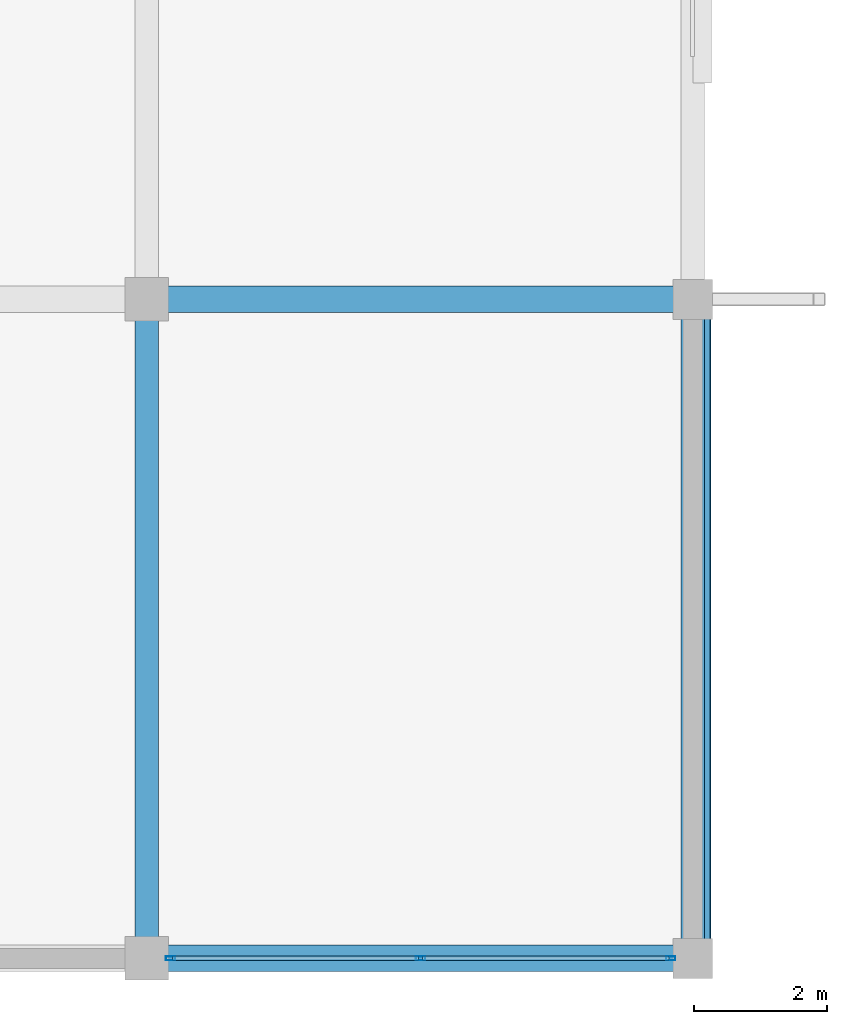
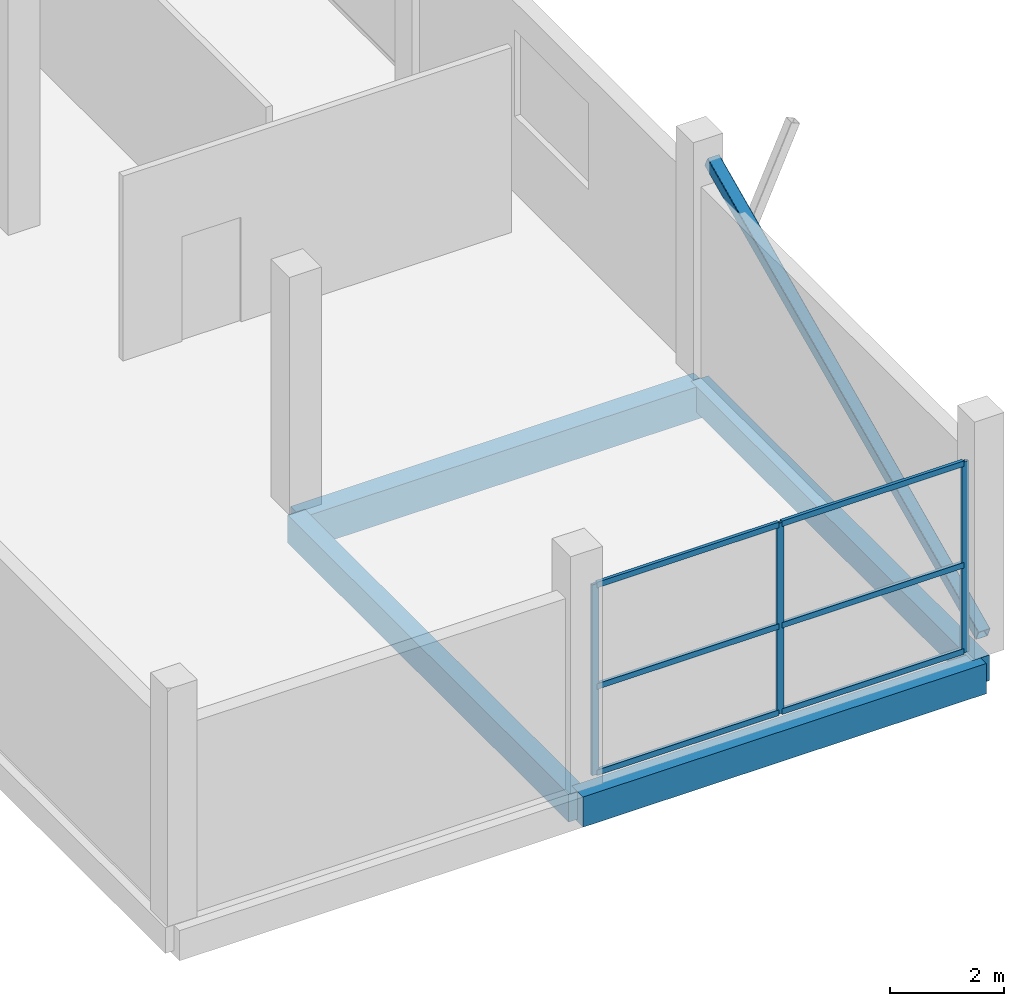
# One storey, part 10 of 58: 10 members, 4 beams, 1 element without a shape of its own.
"""IFC4 building model written with IfcOpenShell, lengths in metres."""

from ifc_helpers import new_model, si_unit, direction, frame, origin, origin_2d, place, context, subcontext, project, spatial, rectangle, hollow_rectangle, extrude, material, layer, layer_set, material_profile, profile_set, type_object, element, aggregate, save


model = new_model("IFC4")

# Units and contexts
model_context = context("Model", 3, precision=1e-05, world=origin(), true_north=direction((0.0, 1.0)))
body_context = subcontext(model_context, "Body", "Model", "MODEL_VIEW")
ifc_project = project(units=[si_unit("LENGTHUNIT", "METRE"), si_unit("AREAUNIT", "SQUARE_METRE"), si_unit("VOLUMEUNIT", "CUBIC_METRE"), si_unit("PLANEANGLEUNIT", "RADIAN"), si_unit("MASSUNIT", "GRAM", prefix="KILO")], contexts=[model_context])

# Site, building, storey
site_placement = place(None, origin())
site = spatial("IfcSite", under=ifc_project, at=site_placement, CompositionType="ELEMENT")
building_placement = place(site_placement, origin())
building = spatial("IfcBuilding", under=site, at=building_placement, Name="Sillaruma Civic Art Gallery", CompositionType="ELEMENT")
storey_placement = place(building_placement, frame((0.0, 0.0, 52.02001953125)))
storey = spatial("IfcBuildingStorey", under=building, at=storey_placement, Name="L10", CompositionType="ELEMENT", Elevation=52.02001953125)

# Beams
ifc_material_1 = material(Name="Concrete H35 (35 MPa)", Category="concrete")
ifc_material_profile_1 = material_profile(ifc_material_1, rectangle(XDim=0.35009765625, YDim=0.60009765625, at=origin_2d()), Name="RCB350x600")
ifc_profile_set_1 = profile_set([ifc_material_profile_1], Name="Concrete H35 (35 MPa)")
beam_type_1 = type_object("IfcBeamType", Name="BM-BEAM-RCB350x600", PredefinedType="BEAM", material=ifc_profile_set_1)
beam_1_placement = place(storey_placement, frame((106.199951171875, 19.800048828125, -0.550048828125), z_axis=(0.0, 1.0, 0.0), x_axis=(-1.0, 0.0, 0.0)))
element("IfcBeam", 1, at=beam_1_placement, inside=storey, type_object=beam_type_1, Name="Beam BM-06 (L09:M:3-4)", PredefinedType="BEAM", context=body_context, shape_type="SweptSolid", body=[
    extrude(rectangle(XDim=0.35009765625, YDim=0.60009765625, at=origin_2d()), origin(), (0.0, 0.0, 1.0), 9.89990234375),
])
ifc_material_profile_2 = material_profile(ifc_material_1, rectangle(XDim=0.39990234375, YDim=0.699951171875, at=origin_2d()), Name="RCB400x700")
ifc_profile_set_2 = profile_set([ifc_material_profile_2], Name="Concrete H35 (35 MPa)")
beam_type_2 = type_object("IfcBeamType", Name="BM-BEAM-RCB400x700", PredefinedType="BEAM", material=ifc_profile_set_2)
beam_2_placement = place(storey_placement, frame((106.199951171875, 29.699951171875, -0.60009765625), z_axis=(1.0, 0.0, 0.0), x_axis=(0.0, 1.0, 0.0)))
element("IfcBeam", 2, at=beam_2_placement, inside=storey, type_object=beam_type_2, Name="Beam BM-04 (L09:4:M-N)", PredefinedType="BEAM", context=body_context, shape_type="SweptSolid", body=[
    extrude(rectangle(XDim=0.39990234375, YDim=0.699951171875, at=origin_2d()), origin(), (0.0, 0.0, 1.0), 8.199951171875),
])
ifc_material_profile_3 = material_profile(ifc_material_1, rectangle(XDim=0.35009765625, YDim=0.550048828125, at=origin_2d()), Name="RCB350x550")
ifc_profile_set_3 = profile_set([ifc_material_profile_3], Name="Concrete H35 (35 MPa)")
beam_type_3 = type_object("IfcBeamType", Name="BM-SPANDREL-RCB350x550", PredefinedType="SPANDREL", material=ifc_profile_set_3)
beam_3_placement = place(storey_placement, frame((114.39990234375, 19.800048828125, -0.52490234375), z_axis=(0.0, 1.0, 0.0), x_axis=(-1.0, 0.0, 0.0)))
element("IfcBeam", 3, at=beam_3_placement, inside=storey, type_object=beam_type_3, Name="Beam BS-04 (L09:N:3-4)", PredefinedType="SPANDREL", context=body_context, shape_type="SweptSolid", body=[
    extrude(rectangle(XDim=0.35009765625, YDim=0.550048828125, at=origin_2d()), origin(), (0.0, 0.0, 1.0), 9.89990234375),
])
ifc_material_profile_4 = material_profile(ifc_material_1, rectangle(XDim=0.39990234375, YDim=0.64990234375, at=origin_2d()), Name="RCB400x650")
ifc_profile_set_4 = profile_set([ifc_material_profile_4], Name="Concrete H35 (35 MPa)")
beam_type_4 = type_object("IfcBeamType", Name="BM-SPANDREL-RCB400x650", PredefinedType="SPANDREL", material=ifc_profile_set_4)
beam_4_placement = place(storey_placement, frame((106.199951171875, 19.800048828125, -0.574951171875), z_axis=(1.0, 0.0, 0.0), x_axis=(0.0, 1.0, 0.0)))
element("IfcBeam", 4, at=beam_4_placement, inside=storey, type_object=beam_type_4, Name="Beam BS-02 (L09:3:M-N)", PredefinedType="SPANDREL", context=body_context, shape_type="SweptSolid", body=[
    extrude(rectangle(XDim=0.39990234375, YDim=0.64990234375, at=origin_2d()), origin(), (0.0, 0.0, 1.0), 8.199951171875),
])

# Member
ifc_material_2 = material(Name="Structural Steel ASTM A500 Gr.C", Category="steel")
ifc_material_profile_5 = material_profile(ifc_material_2, hollow_rectangle(XDim=0.25, YDim=0.25, WallThickness=0.012451171875, InnerFilletRadius=0.012451171875, OuterFilletRadius=0.02490234375, at=origin_2d()), Name="HSS250x250x12.5")
ifc_profile_set_5 = profile_set([ifc_material_profile_5], Name="Structural Steel ASTM A500 Gr.C")
member_type_1 = type_object("IfcMemberType", Name="MEM-MEGA-BRACE", PredefinedType="BRACE", material=ifc_profile_set_5)
member_1_placement = place(storey_placement, frame((114.550048828125, 19.97998046875, 0.10009765625), z_axis=(0.0, 0.908074976581, 0.418807637116), x_axis=(-1.0, 0.0, 0.0)))
element("IfcMember", 5, at=member_1_placement, inside=storey, type_object=member_type_1, Name="Exterior Expressed Gallery Seismic Diagonal Brace (L10-ES)", PredefinedType="BRACE", context=body_context, shape_type="SweptSolid", body=[
    extrude(hollow_rectangle(XDim=0.25, YDim=0.25, WallThickness=0.012451171875, InnerFilletRadius=0.012451171875, OuterFilletRadius=0.02490234375, at=origin_2d()), origin(), (0.0, 0.0, 1.0), 10.505859375),
])

# Curtain wall, members
ifc_material_3 = material(Name="Thermally Broken Extruded Aluminium 6063-T6", Category="aluminium")
ifc_layer = layer(ifc_material_3, 0.139892578125, Name="Thermally Broken Extruded Aluminium 6063-T6")
ifc_layer_set = layer_set([ifc_layer], Name="Thermally Broken Extruded Aluminium 6063-T6")
curtain_wall_type = type_object("IfcCurtainWallType", Name="CW-UNI-83", PredefinedType="NOTDEFINED", material=ifc_layer_set)
curtain_wall_placement = place(storey_placement, origin())
curtain_wall = element("IfcCurtainWall", 6, at=curtain_wall_placement, inside=storey, type_object=curtain_wall_type, Name="Unitised Curtain Wall CW-83 (CW-L10-EBS-2)", PredefinedType="NOTDEFINED")
ifc_material_profile_6 = material_profile(ifc_material_3, hollow_rectangle(XDim=0.06005859375, YDim=0.139892578125, WallThickness=0.00341796875, at=origin_2d()), Name="CWM60x140")
ifc_profile_set_6 = profile_set([ifc_material_profile_6], Name="Thermally Broken Extruded Aluminium 6063-T6")
member_type_2 = type_object("IfcMemberType", Name="MEM-MUL-CWM60x140", PredefinedType="MULLION", material=ifc_profile_set_6)
member_2_placement = place(storey_placement, frame((106.554931640625, 19.800048828125, 0.0), z_axis=(0.0, 0.0, 1.0), x_axis=(0.0, 1.0, 0.0)))
member_2 = element("IfcMember", 7, at=member_2_placement, type_object=member_type_2, Name="CW-83 mullion 1", PredefinedType="MULLION", context=body_context, shape_type="SweptSolid", body=[
    extrude(hollow_rectangle(XDim=0.06005859375, YDim=0.139892578125, WallThickness=0.00341796875, at=origin_2d()), origin(), (0.0, 0.0, 1.0), 4.10009765625),
])
member_3_placement = place(storey_placement, frame((110.3125, 19.800048828125, 0.0), z_axis=(0.0, 0.0, 1.0), x_axis=(0.0, 1.0, 0.0)))
member_3 = element("IfcMember", 8, at=member_3_placement, type_object=member_type_2, Name="CW-83 mullion 2", PredefinedType="MULLION", context=body_context, shape_type="SweptSolid", body=[
    extrude(hollow_rectangle(XDim=0.06005859375, YDim=0.139892578125, WallThickness=0.00341796875, at=origin_2d()), origin(), (0.0, 0.0, 1.0), 4.10009765625),
])
member_4_placement = place(storey_placement, frame((114.070068359375, 19.800048828125, 0.0), z_axis=(0.0, 0.0, 1.0), x_axis=(0.0, 1.0, 0.0)))
member_4 = element("IfcMember", 9, at=member_4_placement, type_object=member_type_2, Name="CW-83 mullion 3", PredefinedType="MULLION", context=body_context, shape_type="SweptSolid", body=[
    extrude(hollow_rectangle(XDim=0.06005859375, YDim=0.139892578125, WallThickness=0.00341796875, at=origin_2d()), origin(), (0.0, 0.0, 1.0), 4.10009765625),
])
ifc_material_profile_7 = material_profile(ifc_material_3, hollow_rectangle(XDim=0.06494140625, YDim=0.1201171875, WallThickness=0.00341796875, at=origin_2d()), Name="CWT65x120")
ifc_profile_set_7 = profile_set([ifc_material_profile_7], Name="Thermally Broken Extruded Aluminium 6063-T6")
member_type_3 = type_object("IfcMemberType", Name="MEM-TRN-CWT65x120", PredefinedType="USERDEFINED", material=ifc_profile_set_7)
member_5_placement = place(storey_placement, frame((106.5849609375, 19.800048828125, 0.032470703125), z_axis=(1.0, 0.0, 0.0), x_axis=(0.0, 1.0, 0.0)))
member_5 = element("IfcMember", 10, at=member_5_placement, type_object=member_type_3, Name="CW-83 transom 1.1", ObjectType="TRANSOM", PredefinedType="USERDEFINED", context=body_context, shape_type="SweptSolid", body=[
    extrude(hollow_rectangle(XDim=0.06494140625, YDim=0.1201171875, WallThickness=0.00341796875, at=origin_2d()), origin(), (0.0, 0.0, 1.0), 3.697509765625),
])
member_6_placement = place(storey_placement, frame((106.5849609375, 19.800048828125, 1.885986328125), z_axis=(1.0, 0.0, 0.0), x_axis=(0.0, 1.0, 0.0)))
member_6 = element("IfcMember", 11, at=member_6_placement, type_object=member_type_3, Name="CW-83 transom 1.2", ObjectType="TRANSOM", PredefinedType="USERDEFINED", context=body_context, shape_type="SweptSolid", body=[
    extrude(hollow_rectangle(XDim=0.06494140625, YDim=0.1201171875, WallThickness=0.00341796875, at=origin_2d()), origin(), (0.0, 0.0, 1.0), 3.697509765625),
])
member_7_placement = place(storey_placement, frame((106.5849609375, 19.800048828125, 4.0673828125), z_axis=(1.0, 0.0, 0.0), x_axis=(0.0, 1.0, 0.0)))
member_7 = element("IfcMember", 12, at=member_7_placement, type_object=member_type_3, Name="CW-83 transom 1.3", ObjectType="TRANSOM", PredefinedType="USERDEFINED", context=body_context, shape_type="SweptSolid", body=[
    extrude(hollow_rectangle(XDim=0.06494140625, YDim=0.1201171875, WallThickness=0.00341796875, at=origin_2d()), origin(), (0.0, 0.0, 1.0), 3.697509765625),
])
member_8_placement = place(storey_placement, frame((110.342529296875, 19.800048828125, 0.032470703125), z_axis=(1.0, 0.0, 0.0), x_axis=(0.0, 1.0, 0.0)))
member_8 = element("IfcMember", 13, at=member_8_placement, type_object=member_type_3, Name="CW-83 transom 2.1", ObjectType="TRANSOM", PredefinedType="USERDEFINED", context=body_context, shape_type="SweptSolid", body=[
    extrude(hollow_rectangle(XDim=0.06494140625, YDim=0.1201171875, WallThickness=0.00341796875, at=origin_2d()), origin(), (0.0, 0.0, 1.0), 3.697509765625),
])
member_9_placement = place(storey_placement, frame((110.342529296875, 19.800048828125, 1.885986328125), z_axis=(1.0, 0.0, 0.0), x_axis=(0.0, 1.0, 0.0)))
member_9 = element("IfcMember", 14, at=member_9_placement, type_object=member_type_3, Name="CW-83 transom 2.2", ObjectType="TRANSOM", PredefinedType="USERDEFINED", context=body_context, shape_type="SweptSolid", body=[
    extrude(hollow_rectangle(XDim=0.06494140625, YDim=0.1201171875, WallThickness=0.00341796875, at=origin_2d()), origin(), (0.0, 0.0, 1.0), 3.697509765625),
])
member_10_placement = place(storey_placement, frame((110.342529296875, 19.800048828125, 4.0673828125), z_axis=(1.0, 0.0, 0.0), x_axis=(0.0, 1.0, 0.0)))
member_10 = element("IfcMember", 15, at=member_10_placement, type_object=member_type_3, Name="CW-83 transom 2.3", ObjectType="TRANSOM", PredefinedType="USERDEFINED", context=body_context, shape_type="SweptSolid", body=[
    extrude(hollow_rectangle(XDim=0.06494140625, YDim=0.1201171875, WallThickness=0.00341796875, at=origin_2d()), origin(), (0.0, 0.0, 1.0), 3.697509765625),
])
aggregate(curtain_wall, [member_2, member_3, member_4, member_5, member_6, member_7, member_8, member_9, member_10])

save(model, "model.ifc")
